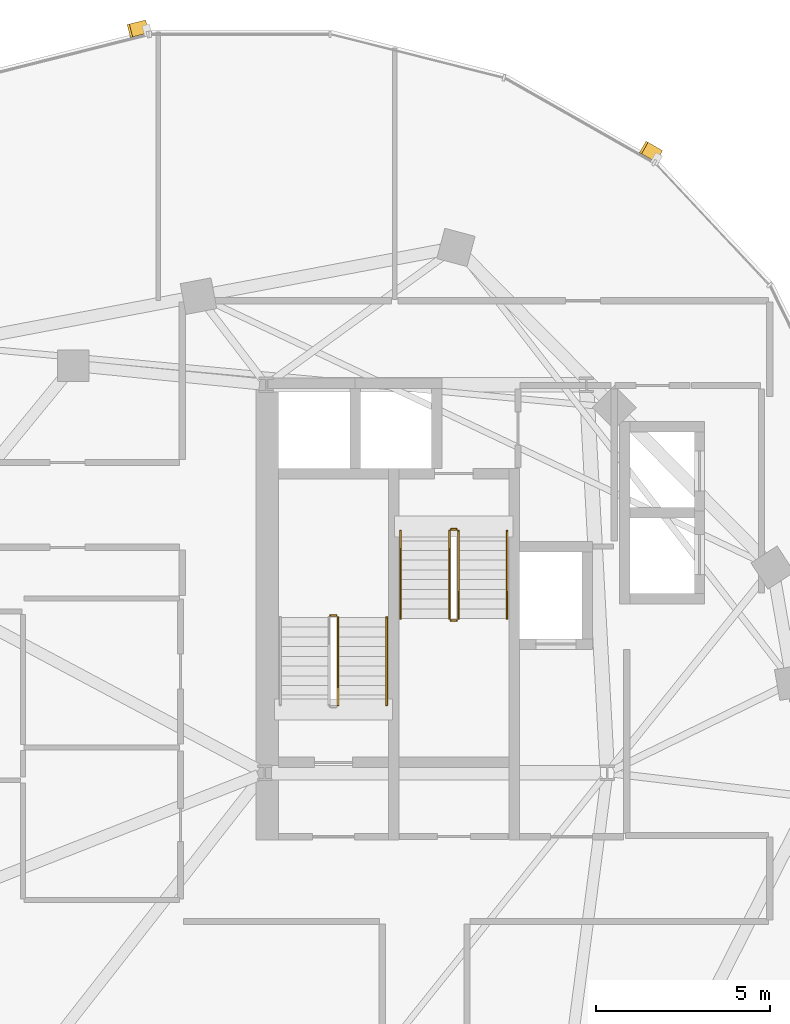
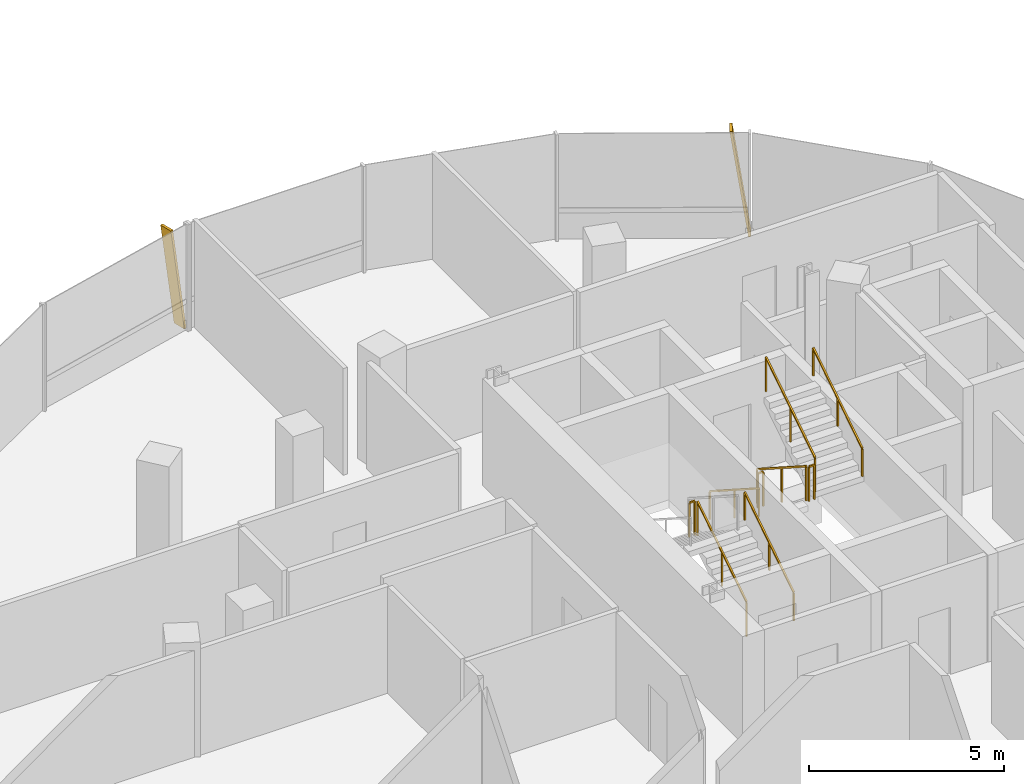
# One storey, part 23 of 25: 9 railings, 2 shading devices.
"""IFC4 building model written with IfcOpenShell, lengths in metres."""

from ifc_helpers import new_model, si_unit, direction, frame, origin, origin_2d, place, context, subcontext, project, spatial, rectangle, extrude, material, material_profile, profile_set, type_object, element, save


model = new_model("IFC4")

# Units and contexts
model_context = context("Model", 3, precision=1e-05, world=origin(), true_north=direction((0.0, 1.0)))
body_context = subcontext(model_context, "Body", "Model", "MODEL_VIEW")
ifc_project = project(units=[si_unit("LENGTHUNIT", "METRE"), si_unit("AREAUNIT", "SQUARE_METRE"), si_unit("VOLUMEUNIT", "CUBIC_METRE"), si_unit("PLANEANGLEUNIT", "RADIAN"), si_unit("MASSUNIT", "GRAM", prefix="KILO"), si_unit("THERMODYNAMICTEMPERATUREUNIT", "KELVIN"), si_unit("POWERUNIT", "WATT")], contexts=[model_context])

# Site, building, storey
site_placement = place(None, origin())
site = spatial("IfcSite", under=ifc_project, at=site_placement, CompositionType="ELEMENT")
building_placement = place(site_placement, origin())
building = spatial("IfcBuilding", under=site, at=building_placement, Name="Cundina Bronze Exchange", CompositionType="ELEMENT")
storey_placement = place(building_placement, frame((0.0, 0.0, 202.60009765625)))
storey = spatial("IfcBuildingStorey", under=building, at=storey_placement, Name="L53", CompositionType="ELEMENT", Elevation=202.60009765625)

# Railings
ifc_material_1 = material(Name="Steel ASTM A36 Painted", Category="steel")
railing_type_1 = type_object("IfcRailingType", Name="RLG-HND-900", PredefinedType="HANDRAIL", material=ifc_material_1)
railing_1_placement = place(storey_placement, frame((-27.7900390625, 5.85009765625, 0.179931640625)))
element("IfcRailing", 1, at=railing_1_placement, inside=storey, type_object=railing_type_1, Name="L53 ST-W1 stair handrail 1", PredefinedType="HANDRAIL", context=body_context, shape_type="SweptSolid", body=[
    extrude(rectangle(XDim=0.048095703125, YDim=0.048095703125, at=origin_2d()), frame((0.0, 0.0, 0.8759765625), z_axis=(0.0, 0.841199657755, 0.540724639528), x_axis=(-1.0, 0.0, 0.0)), (0.0, 0.0, 1.0), 2.995849609375),
    extrude(rectangle(XDim=0.0419921875, YDim=0.0419921875, at=origin_2d()), origin(), (0.0, 0.0, 1.0), 0.851806640625),
    extrude(rectangle(XDim=0.0419921875, YDim=0.0419921875, at=origin_2d()), frame((0.0, 1.260009765625, 0.81005859375)), (0.0, 0.0, 1.0), 0.851806640625),
    extrude(rectangle(XDim=0.0419921875, YDim=0.0419921875, at=origin_2d()), frame((0.0, 2.52001953125, 1.619873046875)), (0.0, 0.0, 1.0), 0.851806640625),
])
railing_2_placement = place(storey_placement, frame((-27.389892578125, 10.85009765625, 0.179931640625)))
element("IfcRailing", 2, at=railing_2_placement, inside=storey, type_object=railing_type_1, Name="L53 ST-W2 stair handrail 1", PredefinedType="HANDRAIL", context=body_context, shape_type="SweptSolid", body=[
    extrude(rectangle(XDim=0.048095703125, YDim=0.048095703125, at=origin_2d()), frame((0.0, 0.0, 0.8759765625), z_axis=(0.0, -0.841199657755, 0.540724639528), x_axis=(1.0, 0.0, 0.0)), (0.0, 0.0, 1.0), 2.995849609375),
    extrude(rectangle(XDim=0.0419921875, YDim=0.0419921875, at=origin_2d()), origin(), (0.0, 0.0, 1.0), 0.851806640625),
    extrude(rectangle(XDim=0.0419921875, YDim=0.0419921875, at=origin_2d()), frame((0.0, -1.260009765625, 0.81005859375)), (0.0, 0.0, 1.0), 0.851806640625),
    extrude(rectangle(XDim=0.0419921875, YDim=0.0419921875, at=origin_2d()), frame((0.0, -2.52001953125, 1.619873046875)), (0.0, 0.0, 1.0), 0.851806640625),
])
railing_3_placement = place(storey_placement, frame((-24.330078125, 8.330078125, 1.97998046875)))
element("IfcRailing", 3, at=railing_3_placement, inside=storey, type_object=railing_type_1, Name="L53 ST-W2 stair handrail 2", PredefinedType="HANDRAIL", context=body_context, shape_type="SweptSolid", body=[
    extrude(rectangle(XDim=0.048095703125, YDim=0.048095703125, at=origin_2d()), frame((0.0, 0.0, 0.8759765625), z_axis=(0.0, 0.841199657755, 0.540724639528), x_axis=(-1.0, 0.0, 0.0)), (0.0, 0.0, 1.0), 2.995849609375),
    extrude(rectangle(XDim=0.0419921875, YDim=0.0419921875, at=origin_2d()), origin(), (0.0, 0.0, 1.0), 0.851806640625),
    extrude(rectangle(XDim=0.0419921875, YDim=0.0419921875, at=origin_2d()), frame((0.0, 1.260009765625, 0.81005859375)), (0.0, 0.0, 1.0), 0.851806640625),
    extrude(rectangle(XDim=0.0419921875, YDim=0.0419921875, at=origin_2d()), frame((0.0, 2.52001953125, 1.619873046875)), (0.0, 0.0, 1.0), 0.851806640625),
])
railing_type_2 = type_object("IfcRailingType", Name="RLG-STG-1100", PredefinedType="GUARDRAIL", material=ifc_material_1)
railing_4_placement = place(storey_placement, frame((-29.18994140625, 5.85009765625, 0.179931640625)))
element("IfcRailing", 4, at=railing_4_placement, inside=storey, type_object=railing_type_2, Name="L53 ST-W1 stair guard 1", PredefinedType="GUARDRAIL", context=body_context, shape_type="SweptSolid", body=[
    extrude(rectangle(XDim=0.048095703125, YDim=0.048095703125, at=origin_2d()), frame((0.0, 0.0, 1.076171875), z_axis=(0.0, 0.841199657755, 0.540724639528), x_axis=(-1.0, 0.0, 0.0)), (0.0, 0.0, 1.0), 2.995849609375),
    extrude(rectangle(XDim=0.0419921875, YDim=0.0419921875, at=origin_2d()), origin(), (0.0, 0.0, 1.0), 1.052001953125),
    extrude(rectangle(XDim=0.0419921875, YDim=0.0419921875, at=origin_2d()), frame((0.0, 1.260009765625, 0.81005859375)), (0.0, 0.0, 1.0), 1.052001953125),
    extrude(rectangle(XDim=0.0419921875, YDim=0.0419921875, at=origin_2d()), frame((0.0, 2.52001953125, 1.619873046875)), (0.0, 0.0, 1.0), 1.052001953125),
])
railing_5_placement = place(storey_placement, frame((-29.239990234375, 8.419921875, 1.7998046875)))
element("IfcRailing", 5, at=railing_5_placement, inside=storey, type_object=railing_type_2, Name="L53 ST-W1 stair guard 2", PredefinedType="GUARDRAIL", context=body_context, shape_type="SweptSolid", body=[
    extrude(rectangle(XDim=0.048095703125, YDim=0.048095703125, at=origin_2d()), frame((0.0, 0.0, 1.076171875), z_axis=(-1.0, 0.0, 0.0), x_axis=(0.0, -1.0, 0.0)), (0.0, 0.0, 1.0), 0.159912109375),
    extrude(rectangle(XDim=0.0419921875, YDim=0.0419921875, at=origin_2d()), origin(), (0.0, 0.0, 1.0), 1.052001953125),
    extrude(rectangle(XDim=0.0419921875, YDim=0.0419921875, at=origin_2d()), frame((-0.159912109375, 0.0, 0.0)), (0.0, 0.0, 1.0), 1.052001953125),
])
railing_6_placement = place(storey_placement, frame((-25.989990234375, 10.85009765625, 0.179931640625)))
element("IfcRailing", 6, at=railing_6_placement, inside=storey, type_object=railing_type_2, Name="L53 ST-W2 stair guard 1", PredefinedType="GUARDRAIL", context=body_context, shape_type="SweptSolid", body=[
    extrude(rectangle(XDim=0.048095703125, YDim=0.048095703125, at=origin_2d()), frame((0.0, 0.0, 1.076171875), z_axis=(0.0, -0.841199657755, 0.540724639528), x_axis=(1.0, 0.0, 0.0)), (0.0, 0.0, 1.0), 2.995849609375),
    extrude(rectangle(XDim=0.0419921875, YDim=0.0419921875, at=origin_2d()), origin(), (0.0, 0.0, 1.0), 1.052001953125),
    extrude(rectangle(XDim=0.0419921875, YDim=0.0419921875, at=origin_2d()), frame((0.0, -1.260009765625, 0.81005859375)), (0.0, 0.0, 1.0), 1.052001953125),
    extrude(rectangle(XDim=0.0419921875, YDim=0.0419921875, at=origin_2d()), frame((0.0, -2.52001953125, 1.619873046875)), (0.0, 0.0, 1.0), 1.052001953125),
])
railing_7_placement = place(storey_placement, frame((-25.93994140625, 8.280029296875, 1.7998046875)))
element("IfcRailing", 7, at=railing_7_placement, inside=storey, type_object=railing_type_2, Name="L53 ST-W2 stair guard 2", PredefinedType="GUARDRAIL", context=body_context, shape_type="SweptSolid", body=[
    extrude(rectangle(XDim=0.048095703125, YDim=0.048095703125, at=origin_2d()), frame((0.0, 0.0, 1.076171875), z_axis=(1.0, 0.0, 0.0), x_axis=(0.0, 1.0, 0.0)), (0.0, 0.0, 1.0), 0.159912109375),
    extrude(rectangle(XDim=0.0419921875, YDim=0.0419921875, at=origin_2d()), origin(), (0.0, 0.0, 1.0), 1.052001953125),
    extrude(rectangle(XDim=0.0419921875, YDim=0.0419921875, at=origin_2d()), frame((0.159912109375, 0.0, 0.0)), (0.0, 0.0, 1.0), 1.052001953125),
])
railing_8_placement = place(storey_placement, frame((-25.72998046875, 8.330078125, 1.97998046875)))
element("IfcRailing", 8, at=railing_8_placement, inside=storey, type_object=railing_type_2, Name="L53 ST-W2 stair guard 3", PredefinedType="GUARDRAIL", context=body_context, shape_type="SweptSolid", body=[
    extrude(rectangle(XDim=0.048095703125, YDim=0.048095703125, at=origin_2d()), frame((0.0, 0.0, 1.076171875), z_axis=(0.0, 0.841199657755, 0.540724639528), x_axis=(-1.0, 0.0, 0.0)), (0.0, 0.0, 1.0), 2.995849609375),
    extrude(rectangle(XDim=0.0419921875, YDim=0.0419921875, at=origin_2d()), origin(), (0.0, 0.0, 1.0), 1.052001953125),
    extrude(rectangle(XDim=0.0419921875, YDim=0.0419921875, at=origin_2d()), frame((0.0, 1.260009765625, 0.81005859375)), (0.0, 0.0, 1.0), 1.052001953125),
    extrude(rectangle(XDim=0.0419921875, YDim=0.0419921875, at=origin_2d()), frame((0.0, 2.52001953125, 1.619873046875)), (0.0, 0.0, 1.0), 1.052001953125),
])
railing_9_placement = place(storey_placement, frame((-25.93994140625, 10.89990234375, 0.0)))
element("IfcRailing", 9, at=railing_9_placement, inside=storey, type_object=railing_type_2, Name="L53 ST-W2 stair guard 4", PredefinedType="GUARDRAIL", context=body_context, shape_type="SweptSolid", body=[
    extrude(rectangle(XDim=0.048095703125, YDim=0.048095703125, at=origin_2d()), frame((0.0, 0.0, 1.076171875), z_axis=(1.0, 0.0, 0.0), x_axis=(0.0, 1.0, 0.0)), (0.0, 0.0, 1.0), 0.159912109375),
    extrude(rectangle(XDim=0.0419921875, YDim=0.0419921875, at=origin_2d()), origin(), (0.0, 0.0, 1.0), 1.052001953125),
    extrude(rectangle(XDim=0.0419921875, YDim=0.0419921875, at=origin_2d()), frame((0.159912109375, 0.0, 0.0)), (0.0, 0.0, 1.0), 1.052001953125),
])

# Shading devices
ifc_material_2 = material(Name="Anodised Bronze Aluminium 6063-T6", Category="aluminium")
ifc_material_profile = material_profile(ifc_material_2, rectangle(XDim=0.070068359375, YDim=0.3798828125, at=origin_2d()), Name="FIN70X380", Category="aluminium")
ifc_profile_set = profile_set([ifc_material_profile], Name="Anodised Bronze Aluminium 6063-T6")
shading_device_type = type_object("IfcShadingDeviceType", Name="SHD-FIN-BRZ380", PredefinedType="USERDEFINED", material=ifc_profile_set)
for number, where, z_axis, x_axis, name in (
    (10, (-19.984375, 21.635498046875, 0.02001953125), (-0.125198584402, 0.071092295587, 0.989581325598), (0.86052566695, -0.48863767404, 0.143974997927), "L53 Diagonal Bronze Solar Fin 5"),
    (11, (-34.705810546875, 25.344482421875, 0.02001953125), (-0.139622006633, -0.035143452115, 0.989581039146), (0.959648570899, 0.241547621411, 0.143976966779), "L53 Diagonal Bronze Solar Fin 1"),
):
    element("IfcShadingDevice", number, at=place(storey_placement, frame(where, z_axis=z_axis, x_axis=x_axis)), inside=storey, type_object=shading_device_type, Name=name, ObjectType="FIN", PredefinedType="USERDEFINED", context=body_context, shape_type="SweptSolid", body=[
        extrude(rectangle(XDim=0.070068359375, YDim=0.3798828125, at=origin_2d()), origin(), (0.0, 0.0, 1.0), 3.33447265625),
    ])

save(model, "model.ifc")
